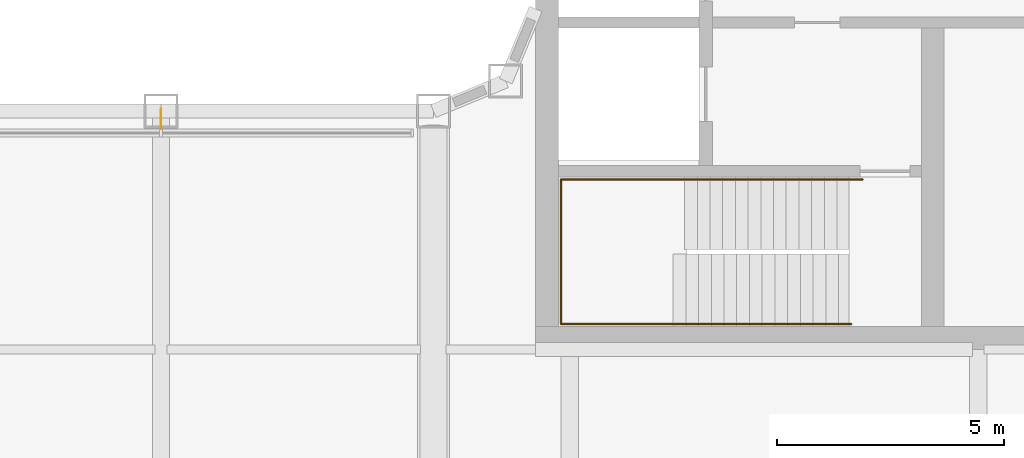
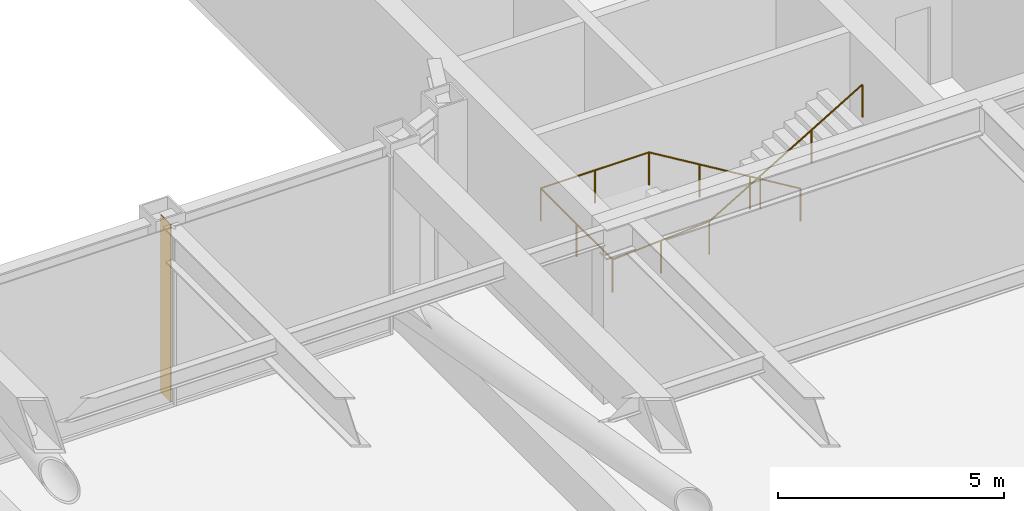
# One storey, part 30 of 33: 1 railing, 1 shading device.
"""IFC4 building model written with IfcOpenShell, lengths in metres."""

from ifc_helpers import new_model, si_unit, direction, frame, origin, origin_2d, place, context, subcontext, project, spatial, rectangle, circle, extrude, material, layer, layer_set, type_object, element, save


model = new_model("IFC4")

# Units and contexts
model_context = context("Model", 3, precision=1e-05, world=origin(), true_north=direction((0.0, 1.0)))
body_context = subcontext(model_context, "Body", "Model", "MODEL_VIEW")
ifc_project = project(units=[si_unit("LENGTHUNIT", "METRE"), si_unit("AREAUNIT", "SQUARE_METRE"), si_unit("VOLUMEUNIT", "CUBIC_METRE"), si_unit("PLANEANGLEUNIT", "RADIAN"), si_unit("MASSUNIT", "GRAM", prefix="KILO")], contexts=[model_context])

# Site, building, storey
site_placement = place(None, origin())
site = spatial("IfcSite", under=ifc_project, at=site_placement, CompositionType="ELEMENT")
building_placement = place(site_placement, origin())
building = spatial("IfcBuilding", under=site, at=building_placement, Name="Siwar Civic Tower", CompositionType="ELEMENT")
storey_placement = place(building_placement, frame((0.0, 0.0, 94.199951171875)))
storey = spatial("IfcBuildingStorey", under=building, at=storey_placement, Name="L20", CompositionType="ELEMENT", Elevation=94.199951171875)

# Railing
ifc_material_1 = material(Name="Stainless steel", Category="steel")
railing_type = type_object("IfcRailingType", Name="CORE-STAIR-HANDRAIL", PredefinedType="HANDRAIL", material=ifc_material_1)
railing_placement = place(storey_placement, frame((15.449951171875, -9.758056640625, 0.166748046875)))
element("IfcRailing", 1, at=railing_placement, inside=storey, type_object=railing_type, Name="Stair handrail ST4", PredefinedType="HANDRAIL", context=body_context, shape_type="SweptSolid", body=[
    extrude(circle(Radius=0.02001953125, at=origin_2d()), frame((0.0, 0.0, 0.8798828125), z_axis=(-0.856384976194, 0.0, 0.516337847296), x_axis=(0.0, -1.0, 0.0)), (0.0, 0.0, 1.0), 4.518798828125),
    extrude(circle(Radius=0.02001953125, at=origin_2d()), frame((-3.869873046875, 0.0, 3.213134765625), z_axis=(-1.0, 0.0, 0.0), x_axis=(0.0, -1.0, 0.0)), (0.0, 0.0, 1.0), 2.77197265625),
    extrude(circle(Radius=0.02001953125, at=origin_2d()), frame((-6.641845703125, 0.0, 3.213134765625), z_axis=(0.0, -1.0, 0.0), x_axis=(1.0, 0.0, 0.0)), (0.0, 0.0, 1.0), 3.183837890625),
    extrude(circle(Radius=0.02001953125, at=origin_2d()), frame((-6.641845703125, -3.183837890625, 3.213134765625), z_axis=(0.997732526271, 0.0, 0.067303833624), x_axis=(0.0, 1.0, 0.0)), (0.0, 0.0, 1.0), 2.4775390625),
    extrude(circle(Radius=0.02001953125, at=origin_2d()), frame((-4.169921875, -3.183837890625, 3.3798828125), z_axis=(0.859296244711, 0.0, 0.511478214419), x_axis=(0.0, 1.0, 0.0)), (0.0, 0.0, 1.0), 4.561767578125),
    extrude(circle(Radius=0.02001953125, at=origin_2d()), origin(), (0.0, 0.0, 1.0), 0.85986328125),
    extrude(circle(Radius=0.02001953125, at=origin_2d()), frame((-1.2900390625, 0.0, 0.77783203125)), (0.0, 0.0, 1.0), 0.85986328125),
    extrude(circle(Radius=0.02001953125, at=origin_2d()), frame((-2.579833984375, 0.0, 1.555419921875)), (0.0, 0.0, 1.0), 0.85986328125),
    extrude(circle(Radius=0.02001953125, at=origin_2d()), frame((-3.869873046875, 0.0, 2.333251953125)), (0.0, 0.0, 1.0), 0.85986328125),
    extrude(circle(Radius=0.02001953125, at=origin_2d()), frame((-5.255859375, 0.0, 2.333251953125)), (0.0, 0.0, 1.0), 0.85986328125),
    extrude(circle(Radius=0.02001953125, at=origin_2d()), frame((-6.641845703125, 0.0, 2.333251953125)), (0.0, 0.0, 1.0), 0.85986328125),
    extrude(circle(Radius=0.02001953125, at=origin_2d()), frame((-6.641845703125, -1.591796875, 2.333251953125)), (0.0, 0.0, 1.0), 0.85986328125),
    extrude(circle(Radius=0.02001953125, at=origin_2d()), frame((-6.641845703125, -3.183837890625, 2.333251953125)), (0.0, 0.0, 1.0), 0.85986328125),
    extrude(circle(Radius=0.02001953125, at=origin_2d()), frame((-5.40576171875, -3.183837890625, 2.41650390625)), (0.0, 0.0, 1.0), 0.85986328125),
    extrude(circle(Radius=0.02001953125, at=origin_2d()), frame((-4.169921875, -3.183837890625, 2.5)), (0.0, 0.0, 1.0), 0.85986328125),
    extrude(circle(Radius=0.02001953125, at=origin_2d()), frame((-2.86328125, -3.183837890625, 3.27783203125)), (0.0, 0.0, 1.0), 0.85986328125),
    extrude(circle(Radius=0.02001953125, at=origin_2d()), frame((-1.556640625, -3.183837890625, 4.055419921875)), (0.0, 0.0, 1.0), 0.85986328125),
    extrude(circle(Radius=0.02001953125, at=origin_2d()), frame((-0.25, -3.183837890625, 4.833251953125)), (0.0, 0.0, 1.0), 0.85986328125),
])

# Shading device
ifc_material_2 = material(Name="Aluminium 6063-T6", Category="aluminium")
ifc_layer = layer(ifc_material_2, 0.02001953125)
ifc_layer_set = layer_set([ifc_layer], Name="Aluminium 6063-T6")
shading_device_type = type_object("IfcShadingDeviceType", Name="ENV-FIN", PredefinedType="JALOUSIE", material=ifc_layer_set)
shading_device_placement = place(storey_placement, frame((0.0, -8.419921875, 0.0), z_axis=(0.0, 0.0, 1.0), x_axis=(1.0, 0.0, 0.0)))
element("IfcShadingDevice", 2, at=shading_device_placement, inside=storey, type_object=shading_device_type, Name="SUNSHADE fin WS-00 1", PredefinedType="JALOUSIE", context=body_context, shape_type="SweptSolid", body=[
    extrude(rectangle(XDim=0.02001953125, YDim=0.449951171875, at=origin_2d()), origin(), (0.0, 0.0, 1.0), 4.800048828125),
])

save(model, "model.ifc")
